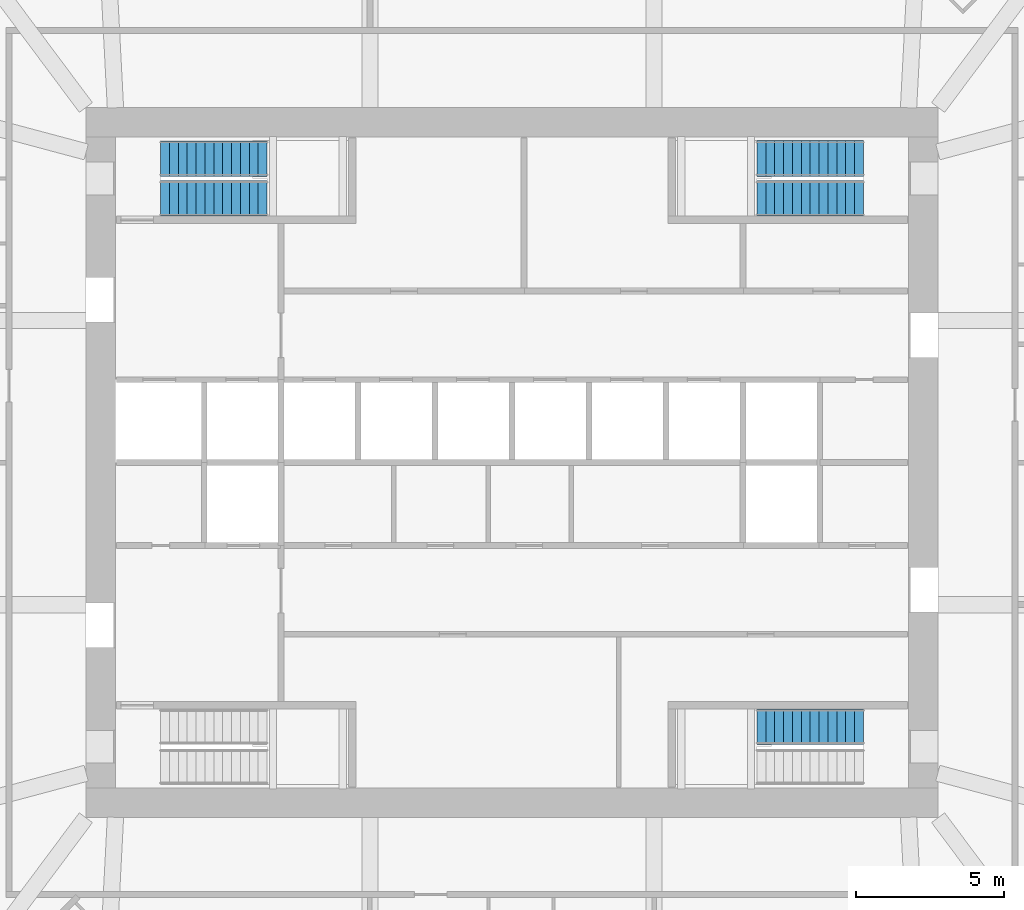
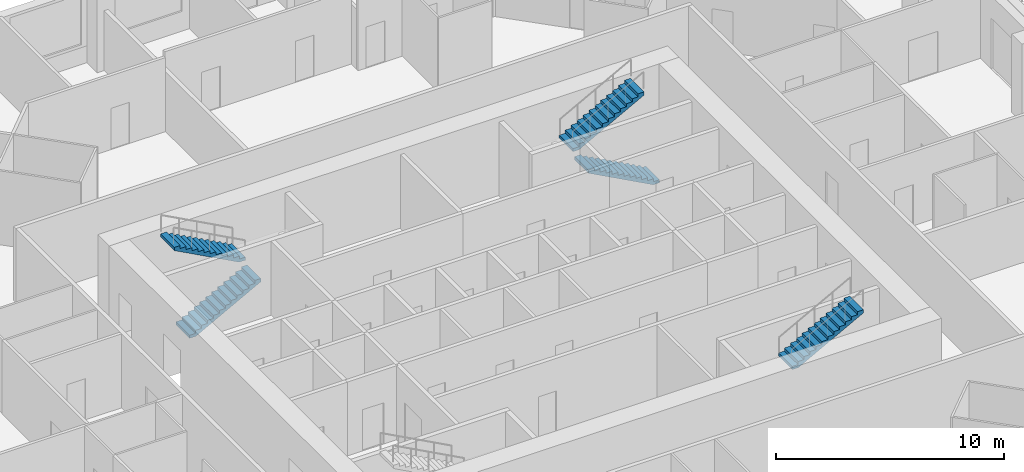
# One storey, part 11 of 13: 5 stair flights, 3 elements without a shape of their own.
"""IFC4 building model written with IfcOpenShell, lengths in metres."""

from ifc_helpers import new_model, si_unit, direction, frame, origin, place, context, subcontext, project, spatial, polyline, outline, extrude, material, type_object, element, aggregate, save


model = new_model("IFC4")

# Units and contexts
model_context = context("Model", 3, precision=1e-05, world=origin(), true_north=direction((0.0, 1.0)))
body_context = subcontext(model_context, "Body", "Model", "MODEL_VIEW")
ifc_project = project(units=[si_unit("LENGTHUNIT", "METRE"), si_unit("AREAUNIT", "SQUARE_METRE"), si_unit("VOLUMEUNIT", "CUBIC_METRE"), si_unit("PLANEANGLEUNIT", "RADIAN"), si_unit("MASSUNIT", "GRAM", prefix="KILO")], contexts=[model_context])

# Site, building, storey
site_placement = place(None, origin())
site = spatial("IfcSite", under=ifc_project, at=site_placement, CompositionType="ELEMENT")
building_placement = place(site_placement, origin())
building = spatial("IfcBuilding", under=site, at=building_placement, Name="Msitu Wima Residences", CompositionType="ELEMENT")
storey_placement = place(building_placement, frame((0.0, 0.0, 67.5)))
storey = spatial("IfcBuildingStorey", under=building, at=storey_placement, Name="L15", CompositionType="ELEMENT", Elevation=67.5)

# Stair, stair flights
ifc_material = material(Name="Concrete C40/50", Category="concrete")
stair_type = type_object("IfcStairType", Name="Exit stair ES1615-120", PredefinedType="HALF_TURN_STAIR", material=ifc_material)
stair_1_placement = place(storey_placement, origin())
stair_1 = element("IfcStair", 1, at=stair_1_placement, inside=storey, type_object=stair_type, Name="Exit stair 1", PredefinedType="HALF_TURN_STAIR")
stair_flight_type = type_object("IfcStairFlightType", Name="Exit stair flight ES1615-120", PredefinedType="STRAIGHT", material=ifc_material)
stair_flight_1_placement = place(storey_placement, frame((-11.875, 8.925048828125, 0.0), z_axis=(0.0, 0.0, 1.0), x_axis=(1.0, 0.0, 0.0)))
stair_flight_1 = element("IfcStairFlight", 2, at=stair_flight_1_placement, type_object=stair_flight_type, Name="S1 flight 1", NumberOfRisers=13, NumberOfTreads=12, PredefinedType="STRAIGHT", RiserHeight=0.161538462, TreadLength=0.3, context=body_context, shape_type="SweptSolid", body=[
    extrude(outline(polyline([(0.0, 0.0), (0.0, 0.16162109375), (0.300048828125, 0.16162109375), (0.300048828125, 0.322998046875), (0.60009765625, 0.322998046875), (0.60009765625, 0.484619140625), (0.89990234375, 0.484619140625), (0.89990234375, 0.646240234375), (1.199951171875, 0.646240234375), (1.199951171875, 0.8076171875), (1.5, 0.8076171875), (1.5, 0.96923828125), (1.800048828125, 0.96923828125), (1.800048828125, 1.130859375), (2.10009765625, 1.130859375), (2.10009765625, 1.292236328125), (2.39990234375, 1.292236328125), (2.39990234375, 1.453857421875), (2.699951171875, 1.453857421875), (2.699951171875, 1.615478515625), (3.0, 1.615478515625), (3.0, 1.77685546875), (3.300048828125, 1.77685546875), (3.300048828125, 1.9384765625), (3.60009765625, 1.9384765625), (3.60009765625, 2.10009765625), (3.60009765625, 1.768310546875), (0.316162109375, 0.0), (0.0, 0.0)])), frame((0.0, 0.60009765625, 0.0), z_axis=(0.0, -1.0, 0.0), x_axis=(1.0, 0.0, 0.0)), (0.0, 0.0, 1.0), 1.199951171875),
])
stair_flight_2_placement = place(storey_placement, frame((-8.27490234375, 10.27490234375, 2.10009765625), z_axis=(0.0, 0.0, 1.0), x_axis=(-1.0, 0.0, 0.0)))
stair_flight_2 = element("IfcStairFlight", 3, at=stair_flight_2_placement, type_object=stair_flight_type, Name="S1 flight 2", NumberOfRisers=13, NumberOfTreads=12, PredefinedType="STRAIGHT", RiserHeight=0.161538462, TreadLength=0.3, context=body_context, shape_type="SweptSolid", body=[
    extrude(outline(polyline([(0.0, 0.0), (0.0, 0.16162109375), (0.300048828125, 0.16162109375), (0.300048828125, 0.322998046875), (0.60009765625, 0.322998046875), (0.60009765625, 0.484619140625), (0.89990234375, 0.484619140625), (0.89990234375, 0.646240234375), (1.199951171875, 0.646240234375), (1.199951171875, 0.8076171875), (1.5, 0.8076171875), (1.5, 0.96923828125), (1.800048828125, 0.96923828125), (1.800048828125, 1.130859375), (2.10009765625, 1.130859375), (2.10009765625, 1.292236328125), (2.39990234375, 1.292236328125), (2.39990234375, 1.453857421875), (2.699951171875, 1.453857421875), (2.699951171875, 1.615478515625), (3.0, 1.615478515625), (3.0, 1.77685546875), (3.300048828125, 1.77685546875), (3.300048828125, 1.9384765625), (3.60009765625, 1.9384765625), (3.60009765625, 2.10009765625), (3.60009765625, 1.768310546875), (0.316162109375, 0.0), (0.0, 0.0)])), frame((0.0, 0.60009765625, 0.0), z_axis=(0.0, -1.0, 0.0), x_axis=(1.0, 0.0, 0.0)), (0.0, 0.0, 1.0), 1.199951171875),
])
aggregate(stair_1, [stair_flight_1, stair_flight_2])

stair_2_placement = place(storey_placement, origin())
stair_2 = element("IfcStair", 4, at=stair_2_placement, inside=storey, type_object=stair_type, Name="Exit stair 3", PredefinedType="HALF_TURN_STAIR")
stair_flight_3_placement = place(storey_placement, frame((11.875, 8.925048828125, 0.0), z_axis=(0.0, 0.0, 1.0), x_axis=(-1.0, 0.0, 0.0)))
stair_flight_3 = element("IfcStairFlight", 5, at=stair_flight_3_placement, type_object=stair_flight_type, Name="S3 flight 1", NumberOfRisers=13, NumberOfTreads=12, PredefinedType="STRAIGHT", RiserHeight=0.161538462, TreadLength=0.3, context=body_context, shape_type="SweptSolid", body=[
    extrude(outline(polyline([(0.0, 0.0), (0.0, 0.16162109375), (0.300048828125, 0.16162109375), (0.300048828125, 0.322998046875), (0.60009765625, 0.322998046875), (0.60009765625, 0.484619140625), (0.89990234375, 0.484619140625), (0.89990234375, 0.646240234375), (1.199951171875, 0.646240234375), (1.199951171875, 0.8076171875), (1.5, 0.8076171875), (1.5, 0.96923828125), (1.800048828125, 0.96923828125), (1.800048828125, 1.130859375), (2.10009765625, 1.130859375), (2.10009765625, 1.292236328125), (2.39990234375, 1.292236328125), (2.39990234375, 1.453857421875), (2.699951171875, 1.453857421875), (2.699951171875, 1.615478515625), (3.0, 1.615478515625), (3.0, 1.77685546875), (3.300048828125, 1.77685546875), (3.300048828125, 1.9384765625), (3.60009765625, 1.9384765625), (3.60009765625, 2.10009765625), (3.60009765625, 1.768310546875), (0.316162109375, 0.0), (0.0, 0.0)])), frame((0.0, 0.60009765625, 0.0), z_axis=(0.0, -1.0, 0.0), x_axis=(1.0, 0.0, 0.0)), (0.0, 0.0, 1.0), 1.199951171875),
])
stair_flight_4_placement = place(storey_placement, frame((8.27490234375, 10.27490234375, 2.10009765625), z_axis=(0.0, 0.0, 1.0), x_axis=(1.0, 0.0, 0.0)))
stair_flight_4 = element("IfcStairFlight", 6, at=stair_flight_4_placement, type_object=stair_flight_type, Name="S3 flight 2", NumberOfRisers=13, NumberOfTreads=12, PredefinedType="STRAIGHT", RiserHeight=0.161538462, TreadLength=0.3, context=body_context, shape_type="SweptSolid", body=[
    extrude(outline(polyline([(0.0, 0.0), (0.0, 0.16162109375), (0.300048828125, 0.16162109375), (0.300048828125, 0.322998046875), (0.60009765625, 0.322998046875), (0.60009765625, 0.484619140625), (0.89990234375, 0.484619140625), (0.89990234375, 0.646240234375), (1.199951171875, 0.646240234375), (1.199951171875, 0.8076171875), (1.5, 0.8076171875), (1.5, 0.96923828125), (1.800048828125, 0.96923828125), (1.800048828125, 1.130859375), (2.10009765625, 1.130859375), (2.10009765625, 1.292236328125), (2.39990234375, 1.292236328125), (2.39990234375, 1.453857421875), (2.699951171875, 1.453857421875), (2.699951171875, 1.615478515625), (3.0, 1.615478515625), (3.0, 1.77685546875), (3.300048828125, 1.77685546875), (3.300048828125, 1.9384765625), (3.60009765625, 1.9384765625), (3.60009765625, 2.10009765625), (3.60009765625, 1.768310546875), (0.316162109375, 0.0), (0.0, 0.0)])), frame((0.0, 0.60009765625, 0.0), z_axis=(0.0, -1.0, 0.0), x_axis=(1.0, 0.0, 0.0)), (0.0, 0.0, 1.0), 1.199951171875),
])
aggregate(stair_2, [stair_flight_3, stair_flight_4])

# Stair, stair flight
stair_3_placement = place(storey_placement, origin())
stair_3 = element("IfcStair", 7, at=stair_3_placement, inside=storey, type_object=stair_type, Name="Exit stair 4", PredefinedType="HALF_TURN_STAIR")
stair_flight_5_placement = place(storey_placement, frame((8.27490234375, -8.925048828125, 2.10009765625), z_axis=(0.0, 0.0, 1.0), x_axis=(1.0, 0.0, 0.0)))
stair_flight_5 = element("IfcStairFlight", 8, at=stair_flight_5_placement, type_object=stair_flight_type, Name="S4 flight 2", NumberOfRisers=13, NumberOfTreads=12, PredefinedType="STRAIGHT", RiserHeight=0.161538462, TreadLength=0.3, context=body_context, shape_type="SweptSolid", body=[
    extrude(outline(polyline([(0.0, 0.0), (0.0, 0.16162109375), (0.300048828125, 0.16162109375), (0.300048828125, 0.322998046875), (0.60009765625, 0.322998046875), (0.60009765625, 0.484619140625), (0.89990234375, 0.484619140625), (0.89990234375, 0.646240234375), (1.199951171875, 0.646240234375), (1.199951171875, 0.8076171875), (1.5, 0.8076171875), (1.5, 0.96923828125), (1.800048828125, 0.96923828125), (1.800048828125, 1.130859375), (2.10009765625, 1.130859375), (2.10009765625, 1.292236328125), (2.39990234375, 1.292236328125), (2.39990234375, 1.453857421875), (2.699951171875, 1.453857421875), (2.699951171875, 1.615478515625), (3.0, 1.615478515625), (3.0, 1.77685546875), (3.300048828125, 1.77685546875), (3.300048828125, 1.9384765625), (3.60009765625, 1.9384765625), (3.60009765625, 2.10009765625), (3.60009765625, 1.768310546875), (0.316162109375, 0.0), (0.0, 0.0)])), frame((0.0, 0.60009765625, 0.0), z_axis=(0.0, -1.0, 0.0), x_axis=(1.0, 0.0, 0.0)), (0.0, 0.0, 1.0), 1.199951171875),
])
aggregate(stair_3, [stair_flight_5])

save(model, "model.ifc")
